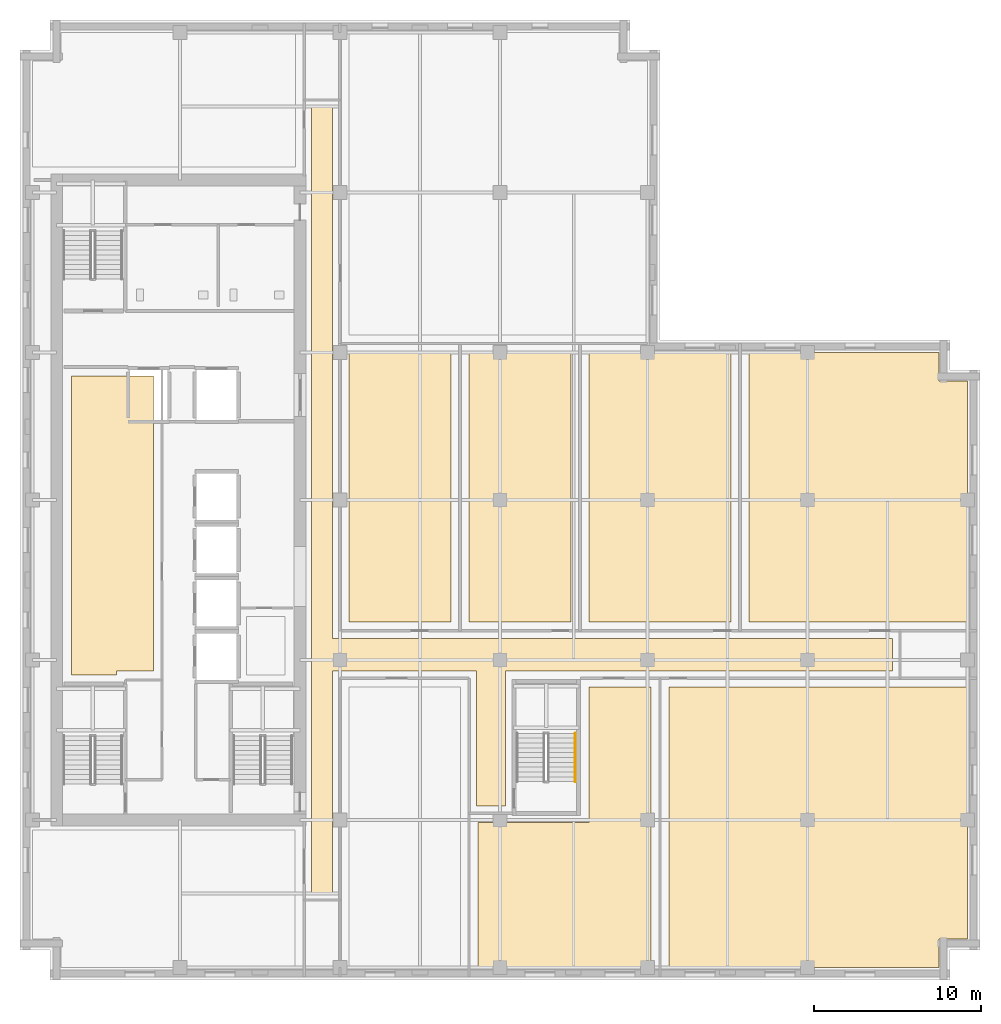
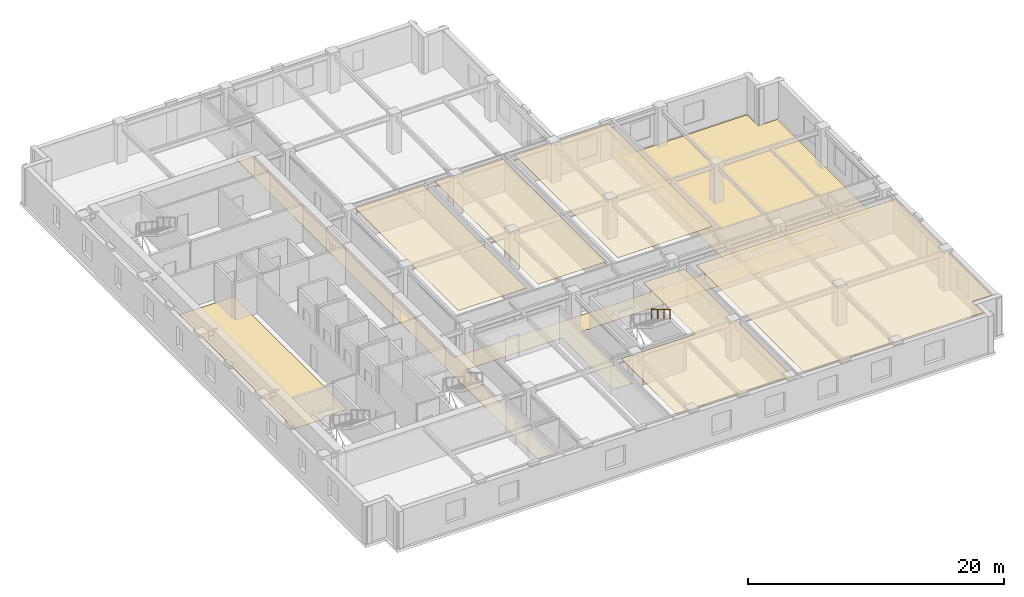
# One storey, part 9 of 11: 8 coverings, 1 railing.
"""IFC4 building model written with IfcOpenShell, lengths in metres."""

from ifc_helpers import new_model, si_unit, direction, frame, origin, origin_2d, place, context, subcontext, project, spatial, polyline, circle, outline, extrude, material, layer, layer_set, type_object, element, save


model = new_model("IFC4")

# Units and contexts
model_context = context("Model", 3, precision=1e-05, world=origin(), true_north=direction((0.0, 1.0)))
body_context = subcontext(model_context, "Body", "Model", "MODEL_VIEW")
ifc_project = project(units=[si_unit("LENGTHUNIT", "METRE"), si_unit("AREAUNIT", "SQUARE_METRE"), si_unit("VOLUMEUNIT", "CUBIC_METRE"), si_unit("PLANEANGLEUNIT", "RADIAN"), si_unit("MASSUNIT", "GRAM", prefix="KILO")], contexts=[model_context])

# Site, building, storey
site_placement = place(None, origin())
site = spatial("IfcSite", under=ifc_project, at=site_placement, CompositionType="ELEMENT")
building_placement = place(site_placement, origin())
building = spatial("IfcBuilding", under=site, at=building_placement, Name="Norrvale University Quadrangle", CompositionType="ELEMENT")
storey_placement = place(building_placement, frame((0.0, 0.0, 202.800048828125)))
storey = spatial("IfcBuildingStorey", under=building, at=storey_placement, Name="L51", CompositionType="ELEMENT", Elevation=202.800048828125)

# Coverings
ifc_material_1 = material(Name="Perforated Acoustic Mineral Ceiling")
ifc_layer_1 = layer(ifc_material_1, 0.02490234375, Name="Perforated Acoustic Mineral Ceiling")
ifc_layer_set_1 = layer_set([ifc_layer_1], Name="Perforated Acoustic Mineral Ceiling")
covering_type_1 = type_object("IfcCoveringType", Name="Covering Acoustic Ceiling 25", PredefinedType="CEILING", material=ifc_layer_set_1)
covering_1_placement = place(storey_placement, frame((0.0, 0.0, 3.514892578125)))
element("IfcCovering", 1, at=covering_1_placement, inside=storey, type_object=covering_type_1, Name="Acoustic Ceiling RM-L51-SE2", PredefinedType="CEILING", context=body_context, shape_type="SweptSolid", body=[
    extrude(outline(polyline([(27.47998046875, 9.449951171875), (34.14990234375, 9.449951171875), (34.14990234375, 17.570068359375), (37.8701171875, 17.570068359375), (37.8701171875, 0.75), (27.47998046875, 0.75), (27.47998046875, 9.449951171875)])), origin(), (0.0, 0.0, 1.0), 0.025146484375),
])
covering_2_placement = place(storey_placement, frame((0.0, 0.0, 3.514892578125)))
element("IfcCovering", 2, at=covering_2_placement, inside=storey, type_object=covering_type_1, Name="Acoustic Ceiling RM-L51-SE3", PredefinedType="CEILING", context=body_context, shape_type="SweptSolid", body=[
    extrude(outline(polyline([(38.929931640625, 0.75), (38.929931640625, 17.570068359375), (56.85009765625, 17.570068359375), (56.85009765625, 2.469970703125), (55.1298828125, 2.469970703125), (55.1298828125, 0.75), (38.929931640625, 0.75)])), origin(), (0.0, 0.0, 1.0), 0.025146484375),
])
covering_3_placement = place(storey_placement, frame((0.0, 0.0, 3.514892578125)))
element("IfcCovering", 3, at=covering_3_placement, inside=storey, type_object=covering_type_1, Name="Acoustic Ceiling RM-L51-ME01", PredefinedType="CEILING", context=body_context, shape_type="SweptSolid", body=[
    extrude(outline(polyline([(19.72998046875, 37.64990234375), (25.8701171875, 37.64990234375), (25.8701171875, 21.47998046875), (19.72998046875, 21.47998046875), (19.72998046875, 37.64990234375)])), origin(), (0.0, 0.0, 1.0), 0.025146484375),
])
covering_4_placement = place(storey_placement, frame((0.0, 0.0, 3.514892578125)))
element("IfcCovering", 4, at=covering_4_placement, inside=storey, type_object=covering_type_1, Name="Acoustic Ceiling RM-L51-ME02", PredefinedType="CEILING", context=body_context, shape_type="SweptSolid", body=[
    extrude(outline(polyline([(26.929931640625, 37.64990234375), (33.070068359375, 37.64990234375), (33.070068359375, 21.47998046875), (26.929931640625, 21.47998046875), (26.929931640625, 37.64990234375)])), origin(), (0.0, 0.0, 1.0), 0.025146484375),
])
covering_5_placement = place(storey_placement, frame((0.0, 0.0, 3.514892578125)))
element("IfcCovering", 5, at=covering_5_placement, inside=storey, type_object=covering_type_1, Name="Acoustic Ceiling RM-L51-ME03", PredefinedType="CEILING", context=body_context, shape_type="SweptSolid", body=[
    extrude(outline(polyline([(34.1298828125, 37.64990234375), (42.669921875, 37.64990234375), (42.669921875, 21.47998046875), (34.1298828125, 21.47998046875), (34.1298828125, 37.64990234375)])), origin(), (0.0, 0.0, 1.0), 0.025146484375),
])
ifc_material_2 = material(Name="Polished Terrazzo Flooring")
ifc_layer_2 = layer(ifc_material_2, 0.02490234375, Name="Polished Terrazzo Flooring")
ifc_layer_set_2 = layer_set([ifc_layer_2], Name="Polished Terrazzo Flooring")
covering_type_2 = type_object("IfcCoveringType", Name="Covering Terrazzo Floor 30", PredefinedType="FLOORING", material=ifc_layer_set_2)
covering_6_placement = place(storey_placement, origin())
element("IfcCovering", 6, at=covering_6_placement, inside=storey, type_object=covering_type_2, Name="Terrazzo Flooring RM-L51-REC2", PredefinedType="FLOORING", context=body_context, shape_type="SweptSolid", body=[
    extrude(outline(polyline([(3.10009765625, 18.300048828125), (3.10009765625, 36.25), (8.0, 36.25), (8.0, 18.550048828125), (5.800048828125, 18.550048828125), (5.800048828125, 18.300048828125), (3.10009765625, 18.300048828125)])), origin(), (0.0, 0.0, 1.0), 0.02490234375),
])
covering_7_placement = place(storey_placement, origin())
element("IfcCovering", 7, at=covering_7_placement, inside=storey, type_object=covering_type_2, Name="Terrazzo Flooring RM-L51-CORR1", PredefinedType="FLOORING", context=body_context, shape_type="SweptSolid", body=[
    extrude(outline(polyline([(17.5, 5.25), (17.5, 52.35009765625), (18.75, 52.35009765625), (18.75, 20.5), (52.35009765625, 20.5), (52.35009765625, 18.550048828125), (29.1298828125, 18.550048828125), (29.1298828125, 10.449951171875), (27.39990234375, 10.449951171875), (27.39990234375, 18.550048828125), (18.75, 18.550048828125), (18.75, 5.25), (17.5, 5.25)])), origin(), (0.0, 0.0, 1.0), 0.02490234375),
])
covering_8_placement = place(storey_placement, origin())
element("IfcCovering", 8, at=covering_8_placement, inside=storey, type_object=covering_type_2, Name="Terrazzo Flooring RM-L51-ME04", PredefinedType="FLOORING", context=body_context, shape_type="SweptSolid", body=[
    extrude(outline(polyline([(56.85009765625, 21.47998046875), (43.72998046875, 21.47998046875), (43.72998046875, 37.64990234375), (55.1298828125, 37.64990234375), (55.1298828125, 35.929931640625), (56.85009765625, 35.929931640625), (56.85009765625, 21.47998046875)])), origin(), (0.0, 0.0, 1.0), 0.02490234375),
])

# Railing
ifc_material_3 = material(Name="Stainless Steel 316L Handrail", Category="steel")
railing_type = type_object("IfcRailingType", Name="Railing Stair Handrail 920", PredefinedType="HANDRAIL", material=ifc_material_3)
railing_placement = place(storey_placement, frame((33.31005859375, 14.800048828125, 2.07275390625)))
element("IfcRailing", 9, at=railing_placement, inside=storey, type_object=railing_type, Name="Stair Upper Flight Handrail ST-04 L51", PredefinedType="HANDRAIL", context=body_context, shape_type="SweptSolid", body=[
    extrude(circle(Radius=0.02392578125, at=origin_2d()), frame((0.0, 0.0, 0.89599609375), z_axis=(0.0, -0.859160404282, 0.51170636083), x_axis=(1.0, 0.0, 0.0)), (0.0, 0.0, 1.0), 3.37548828125),
    extrude(circle(Radius=0.02099609375, at=origin_2d()), origin(), (0.0, 0.0, 1.0), 0.871826171875),
    extrude(circle(Radius=0.02099609375, at=origin_2d()), frame((0.0, -0.966796875, 0.57568359375)), (0.0, 0.0, 1.0), 0.871826171875),
    extrude(circle(Radius=0.02099609375, at=origin_2d()), frame((0.0, -1.933349609375, 1.151611328125)), (0.0, 0.0, 1.0), 0.871826171875),
    extrude(circle(Radius=0.02099609375, at=origin_2d()), frame((0.0, -2.900146484375, 1.727294921875)), (0.0, 0.0, 1.0), 0.871826171875),
])

save(model, "model.ifc")
